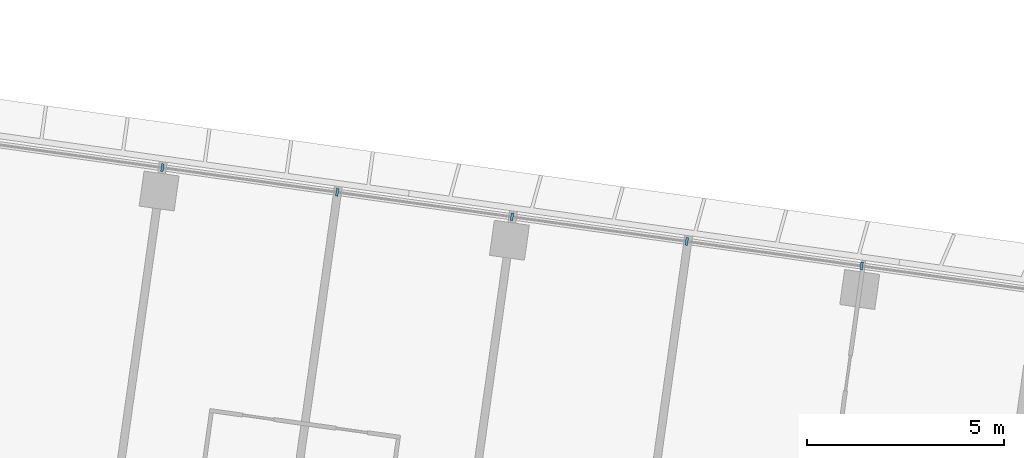
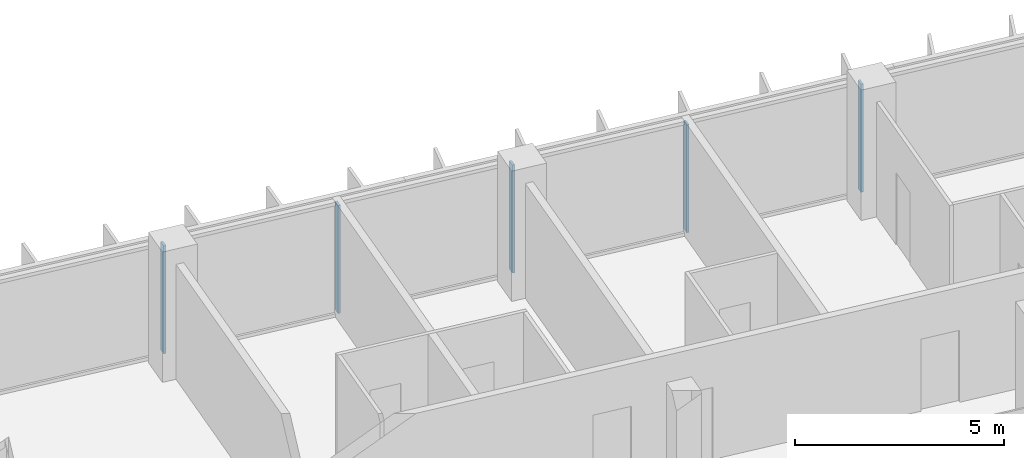
# One storey, part 5 of 25: 5 members, 1 element without a shape of its own.
"""IFC4 building model written with IfcOpenShell, lengths in metres."""

from ifc_helpers import new_model, si_unit, direction, frame, origin, origin_2d, place, context, subcontext, project, spatial, rectangle, extrude, material, material_profile, profile_set, type_object, element, aggregate, save


model = new_model("IFC4")

# Units and contexts
model_context = context("Model", 3, precision=1e-05, world=origin(), true_north=direction((0.0, 1.0)))
body_context = subcontext(model_context, "Body", "Model", "MODEL_VIEW")
ifc_project = project(units=[si_unit("LENGTHUNIT", "METRE"), si_unit("AREAUNIT", "SQUARE_METRE"), si_unit("VOLUMEUNIT", "CUBIC_METRE"), si_unit("PLANEANGLEUNIT", "RADIAN"), si_unit("MASSUNIT", "GRAM", prefix="KILO")], contexts=[model_context])

# Site, building, storey
site_placement = place(None, origin())
site = spatial("IfcSite", under=ifc_project, at=site_placement, CompositionType="ELEMENT")
building_placement = place(site_placement, origin())
building = spatial("IfcBuilding", under=site, at=building_placement, Name="Mirante Cascada Hotel Towers", CompositionType="ELEMENT")
storey_placement = place(building_placement, frame((0.0, 0.0, 136.7)))
storey = spatial("IfcBuildingStorey", under=building, at=storey_placement, Name="L31", CompositionType="ELEMENT", Elevation=136.7)

# Curtain wall, members
ifc_material_1 = material(Name="Aluminium mullion and transom frame with clear laminated glass", Category="aluminium")
curtain_wall_type = type_object("IfcCurtainWallType", Name="Ribbon curtain wall ECW1", PredefinedType="NOTDEFINED", material=ifc_material_1)
curtain_wall_placement = place(storey_placement, origin())
curtain_wall = element("IfcCurtainWall", 1, at=curtain_wall_placement, inside=storey, type_object=curtain_wall_type, Name="Front ribbon wall T1 L31", PredefinedType="NOTDEFINED")
ifc_material_2 = material(Name="Anodised aluminium extrusion", Category="aluminium")
ifc_material_profile = material_profile(ifc_material_2, rectangle(XDim=0.2, YDim=0.065, at=origin_2d()), Name="ECW1 MULLION 65x200")
ifc_profile_set = profile_set([ifc_material_profile], Name="Anodised aluminium extrusion")
member_type = type_object("IfcMemberType", Name="ECW1 mullion 65x200", PredefinedType="MULLION", material=ifc_profile_set)
member_1_placement = place(storey_placement, frame((-63.0262, 21.6768, 0.1), z_axis=(0.0, 0.0, 1.0), x_axis=(0.1391731, 0.9902681, 0.0)))
member_1 = element("IfcMember", 2, at=member_1_placement, type_object=member_type, Name="ECW1 mullion 8", PredefinedType="MULLION", context=body_context, shape_type="SweptSolid", body=[
    extrude(rectangle(XDim=0.2, YDim=0.065, at=origin_2d()), origin(), (0.0, 0.0, 1.0), 3.15),
])
member_2_placement = place(storey_placement, frame((-58.5788, 21.0517, 0.1), z_axis=(0.0, 0.0, 1.0), x_axis=(0.1391731, 0.9902681, 0.0)))
member_2 = element("IfcMember", 3, at=member_2_placement, type_object=member_type, Name="ECW1 mullion 9", PredefinedType="MULLION", context=body_context, shape_type="SweptSolid", body=[
    extrude(rectangle(XDim=0.2, YDim=0.065, at=origin_2d()), origin(), (0.0, 0.0, 1.0), 3.15),
])
member_3_placement = place(storey_placement, frame((-54.1314, 20.4267, 0.1), z_axis=(0.0, 0.0, 1.0), x_axis=(0.1391731, 0.9902681, 0.0)))
member_3 = element("IfcMember", 4, at=member_3_placement, type_object=member_type, Name="ECW1 mullion 10", PredefinedType="MULLION", context=body_context, shape_type="SweptSolid", body=[
    extrude(rectangle(XDim=0.2, YDim=0.065, at=origin_2d()), origin(), (0.0, 0.0, 1.0), 3.15),
])
member_4_placement = place(storey_placement, frame((-49.684, 19.8017, 0.1), z_axis=(0.0, 0.0, 1.0), x_axis=(0.1391731, 0.9902681, 0.0)))
member_4 = element("IfcMember", 5, at=member_4_placement, type_object=member_type, Name="ECW1 mullion 11", PredefinedType="MULLION", context=body_context, shape_type="SweptSolid", body=[
    extrude(rectangle(XDim=0.2, YDim=0.065, at=origin_2d()), origin(), (0.0, 0.0, 1.0), 3.15),
])
member_5_placement = place(storey_placement, frame((-45.2366, 19.1766, 0.1), z_axis=(0.0, 0.0, 1.0), x_axis=(0.1391731, 0.9902681, 0.0)))
member_5 = element("IfcMember", 6, at=member_5_placement, type_object=member_type, Name="ECW1 mullion 12", PredefinedType="MULLION", context=body_context, shape_type="SweptSolid", body=[
    extrude(rectangle(XDim=0.2, YDim=0.065, at=origin_2d()), origin(), (0.0, 0.0, 1.0), 3.15),
])
aggregate(curtain_wall, [member_1, member_2, member_3, member_4, member_5])

save(model, "model.ifc")
